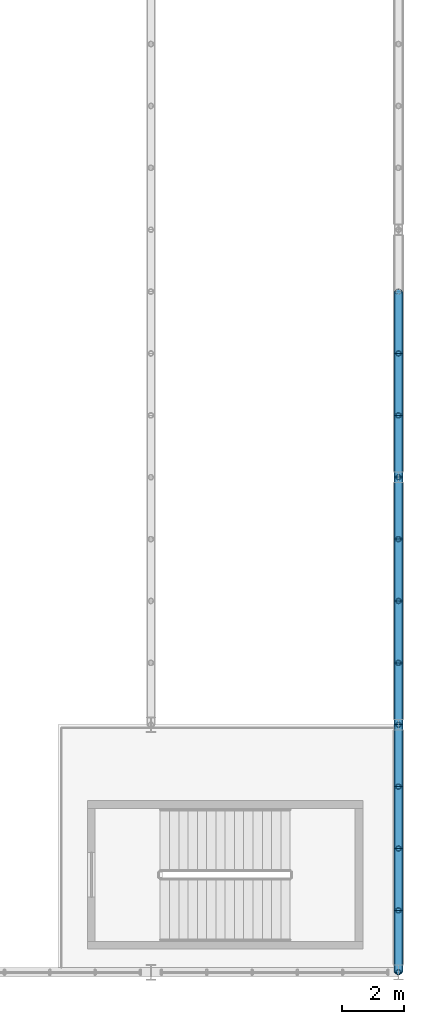
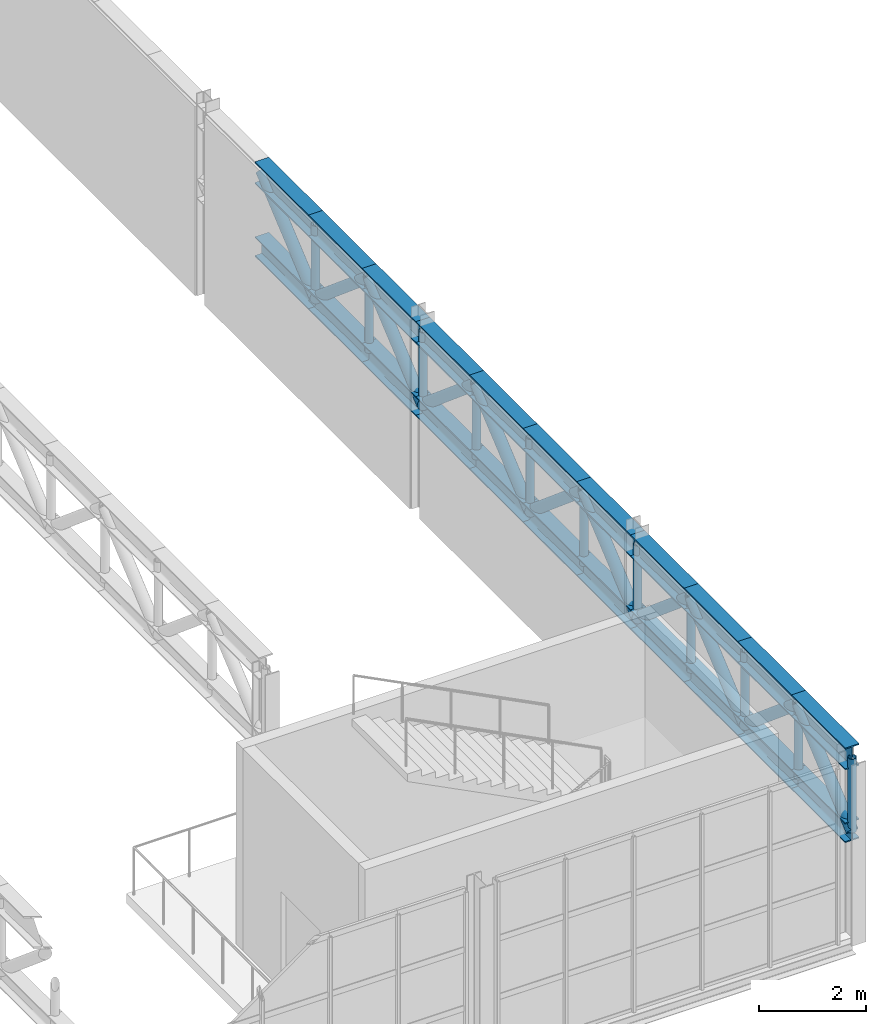
# One storey, part 41 of 67: 44 members.
"""IFC4 building model written with IfcOpenShell, lengths in metres."""

from ifc_helpers import new_model, si_unit, derived_unit, direction, frame, origin, origin_2d, place, context, subcontext, project, spatial, hollow_circle, i_section, extrude, material, material_profile, profile_set, type_object, element, save


model = new_model("IFC4")

# Units and contexts
model_context = context("Model", 3, precision=1e-05, world=origin(), true_north=direction((0.0, 1.0)))
body_context = subcontext(model_context, "Body", "Model", "MODEL_VIEW")
ifc_project = project(units=[si_unit("LENGTHUNIT", "METRE"), si_unit("AREAUNIT", "SQUARE_METRE"), si_unit("VOLUMEUNIT", "CUBIC_METRE"), si_unit("PLANEANGLEUNIT", "RADIAN"), si_unit("MASSUNIT", "GRAM", prefix="KILO"), derived_unit("THERMALTRANSMITTANCEUNIT", [(si_unit("POWERUNIT", "WATT"), 1), (si_unit("LENGTHUNIT", "METRE"), -2), (si_unit("THERMODYNAMICTEMPERATUREUNIT", "KELVIN"), -1)])], contexts=[model_context])

# Site, building, storey
site_placement = place(None, origin())
site = spatial("IfcSite", under=ifc_project, at=site_placement, CompositionType="ELEMENT")
building_placement = place(site_placement, origin())
building = spatial("IfcBuilding", under=site, at=building_placement, Name="Keldorne Ridge Multi-Sports Centre", CompositionType="ELEMENT")
storey_placement = place(building_placement, frame((0.0, 0.0, 14.0)))
storey = spatial("IfcBuildingStorey", under=building, at=storey_placement, Name="L03", CompositionType="ELEMENT", Elevation=14.0)

# Members
ifc_material = material(Name="Steel S355", Category="steel")
ifc_material_profile_1 = material_profile(ifc_material, i_section(OverallWidth=0.300048828125, OverallDepth=0.5, WebThickness=0.014404296875, FlangeThickness=0.028076171875, FilletRadius=0.027099609375, at=origin_2d()), Name="HEB 500")
ifc_profile_set_1 = profile_set([ifc_material_profile_1], Name="Steel S355")
member_type_1 = type_object("IfcMemberType", Name="MEM-TC-03", PredefinedType="CHORD", material=ifc_profile_set_1)
for number, where, z_axis, x_axis, name in (
    (1, (168.0, 6.0, 4.110107421875), (0.0, 1.0, 0.0), (-1.0, 0.0, 0.0), "Stacked Courts Warren TRUSS WT-L04-09 top chord 1"),
    (2, (168.0, 8.0, 4.110107421875), (0.0, 1.0, 0.0), (-1.0, 0.0, 0.0), "Stacked Courts Warren TRUSS WT-L04-09 top chord 2"),
    (3, (168.0, 10.0, 4.110107421875), (0.0, 1.0, 0.0), (-1.0, 0.0, 0.0), "Stacked Courts Warren TRUSS WT-L04-09 top chord 3"),
    (4, (168.0, 12.0, 4.110107421875), (0.0, 1.0, 0.0), (-1.0, 0.0, 0.0), "Stacked Courts Warren TRUSS WT-L04-09 top chord 4"),
    (5, (168.0, 14.0, 4.110107421875), (0.0, 1.0, 0.0), (-1.0, 0.0, 0.0), "Stacked Courts Warren TRUSS WT-L04-09 top chord 5"),
    (6, (168.0, 16.0, 4.110107421875), (0.0, 1.0, 0.0), (-1.0, 0.0, 0.0), "Stacked Courts Warren TRUSS WT-L04-09 top chord 6"),
    (7, (168.0, 18.0, 4.110107421875), (0.0, 1.0, 0.0), (-1.0, 0.0, 0.0), "Stacked Courts Warren TRUSS WT-L04-09 top chord 7"),
    (8, (168.0, 20.0, 4.110107421875), (0.0, 1.0, 0.0), (-1.0, 0.0, 0.0), "Stacked Courts Warren TRUSS WT-L04-09 top chord 8"),
    (9, (168.0, 22.0, 4.110107421875), (0.0, 1.0, 0.0), (-1.0, 0.0, 0.0), "Stacked Courts Warren TRUSS WT-L04-09 top chord 9"),
    (10, (168.0, 24.0, 4.110107421875), (0.0, 1.0, 0.0), (-1.0, 0.0, 0.0), "Stacked Courts Warren TRUSS WT-L04-09 top chord 10"),
    (11, (168.0, 26.0, 4.110107421875), (0.0, 1.0, 0.0), (-1.0, 0.0, 0.0), "Stacked Courts Warren TRUSS WT-L04-09 top chord 11"),
):
    element("IfcMember", number, at=place(storey_placement, frame(where, z_axis=z_axis, x_axis=x_axis)), inside=storey, type_object=member_type_1, Name=name, PredefinedType="CHORD", context=body_context, shape_type="SweptSolid", body=[
        extrude(i_section(OverallWidth=0.300048828125, OverallDepth=0.5, WebThickness=0.014404296875, FlangeThickness=0.028076171875, FilletRadius=0.027099609375, at=origin_2d()), origin(), (0.0, 0.0, 1.0), 2.0),
    ])
ifc_material_profile_2 = material_profile(ifc_material, i_section(OverallWidth=0.300048828125, OverallDepth=0.449951171875, WebThickness=0.013916015625, FlangeThickness=0.02587890625, FilletRadius=0.027099609375, at=origin_2d()), Name="HEB 450")
ifc_profile_set_2 = profile_set([ifc_material_profile_2], Name="Steel S355")
member_type_2 = type_object("IfcMemberType", Name="MEM-TC-04", PredefinedType="CHORD", material=ifc_profile_set_2)
for number, where, z_axis, x_axis, name in (
    (12, (168.0, 6.0, 2.429931640625), (0.0, 1.0, 0.0), (-1.0, 0.0, 0.0), "Stacked Courts Warren TRUSS WT-L04-09 bottom chord 1"),
    (13, (168.0, 8.0, 2.429931640625), (0.0, 1.0, 0.0), (-1.0, 0.0, 0.0), "Stacked Courts Warren TRUSS WT-L04-09 bottom chord 2"),
    (14, (168.0, 10.0, 2.429931640625), (0.0, 1.0, 0.0), (-1.0, 0.0, 0.0), "Stacked Courts Warren TRUSS WT-L04-09 bottom chord 3"),
    (15, (168.0, 12.0, 2.429931640625), (0.0, 1.0, 0.0), (-1.0, 0.0, 0.0), "Stacked Courts Warren TRUSS WT-L04-09 bottom chord 4"),
    (16, (168.0, 14.0, 2.429931640625), (0.0, 1.0, 0.0), (-1.0, 0.0, 0.0), "Stacked Courts Warren TRUSS WT-L04-09 bottom chord 5"),
    (17, (168.0, 16.0, 2.429931640625), (0.0, 1.0, 0.0), (-1.0, 0.0, 0.0), "Stacked Courts Warren TRUSS WT-L04-09 bottom chord 6"),
    (18, (168.0, 18.0, 2.429931640625), (0.0, 1.0, 0.0), (-1.0, 0.0, 0.0), "Stacked Courts Warren TRUSS WT-L04-09 bottom chord 7"),
    (19, (168.0, 20.0, 2.429931640625), (0.0, 1.0, 0.0), (-1.0, 0.0, 0.0), "Stacked Courts Warren TRUSS WT-L04-09 bottom chord 8"),
    (20, (168.0, 22.0, 2.429931640625), (0.0, 1.0, 0.0), (-1.0, 0.0, 0.0), "Stacked Courts Warren TRUSS WT-L04-09 bottom chord 9"),
    (21, (168.0, 24.0, 2.429931640625), (0.0, 1.0, 0.0), (-1.0, 0.0, 0.0), "Stacked Courts Warren TRUSS WT-L04-09 bottom chord 10"),
    (22, (168.0, 26.0, 2.429931640625), (0.0, 1.0, 0.0), (-1.0, 0.0, 0.0), "Stacked Courts Warren TRUSS WT-L04-09 bottom chord 11"),
):
    element("IfcMember", number, at=place(storey_placement, frame(where, z_axis=z_axis, x_axis=x_axis)), inside=storey, type_object=member_type_2, Name=name, PredefinedType="CHORD", context=body_context, shape_type="SweptSolid", body=[
        extrude(i_section(OverallWidth=0.300048828125, OverallDepth=0.449951171875, WebThickness=0.013916015625, FlangeThickness=0.02587890625, FilletRadius=0.027099609375, at=origin_2d()), origin(), (0.0, 0.0, 1.0), 2.0),
    ])
ifc_material_profile_3 = material_profile(ifc_material, hollow_circle(Radius=0.122314453125, WallThickness=0.012451171875, at=origin_2d()), Name="CHS 244.5x12.5")
ifc_profile_set_3 = profile_set([ifc_material_profile_3], Name="Steel S355")
member_type_3 = type_object("IfcMemberType", Name="MEM-TD-02", PredefinedType="BRACE", material=ifc_profile_set_3)
for number, where, z_axis, x_axis, name in (
    (23, (168.0, 6.0, 2.429931640625), (0.0, 0.765671721121, 0.643231541108), (-1.0, 0.0, 0.0), "Stacked Courts Warren TRUSS WT-L04-09 diagonal 1"),
    (24, (168.0, 8.0, 4.110107421875), (0.0, 0.765671721121, -0.643231541108), (-1.0, 0.0, 0.0), "Stacked Courts Warren TRUSS WT-L04-09 diagonal 2"),
    (25, (168.0, 10.0, 2.429931640625), (0.0, 0.765671721121, 0.643231541108), (-1.0, 0.0, 0.0), "Stacked Courts Warren TRUSS WT-L04-09 diagonal 3"),
    (26, (168.0, 12.0, 4.110107421875), (0.0, 0.765671721121, -0.643231541108), (-1.0, 0.0, 0.0), "Stacked Courts Warren TRUSS WT-L04-09 diagonal 4"),
    (27, (168.0, 14.0, 2.429931640625), (0.0, 0.765671721121, 0.643231541108), (-1.0, 0.0, 0.0), "Stacked Courts Warren TRUSS WT-L04-09 diagonal 5"),
    (28, (168.0, 16.0, 4.110107421875), (0.0, 0.765671721121, -0.643231541108), (-1.0, 0.0, 0.0), "Stacked Courts Warren TRUSS WT-L04-09 diagonal 6"),
    (29, (168.0, 18.0, 2.429931640625), (0.0, 0.765671721121, 0.643231541108), (-1.0, 0.0, 0.0), "Stacked Courts Warren TRUSS WT-L04-09 diagonal 7"),
    (30, (168.0, 20.0, 4.110107421875), (0.0, 0.765671721121, -0.643231541108), (-1.0, 0.0, 0.0), "Stacked Courts Warren TRUSS WT-L04-09 diagonal 8"),
    (31, (168.0, 22.0, 2.429931640625), (0.0, 0.765671721121, 0.643231541108), (-1.0, 0.0, 0.0), "Stacked Courts Warren TRUSS WT-L04-09 diagonal 9"),
    (32, (168.0, 24.0, 4.110107421875), (0.0, 0.765671721121, -0.643231541108), (-1.0, 0.0, 0.0), "Stacked Courts Warren TRUSS WT-L04-09 diagonal 10"),
    (33, (168.0, 26.0, 2.429931640625), (0.0, 0.765671721121, 0.643231541108), (-1.0, 0.0, 0.0), "Stacked Courts Warren TRUSS WT-L04-09 diagonal 11"),
):
    element("IfcMember", number, at=place(storey_placement, frame(where, z_axis=z_axis, x_axis=x_axis)), inside=storey, type_object=member_type_3, Name=name, PredefinedType="BRACE", context=body_context, shape_type="SweptSolid", body=[
        extrude(hollow_circle(Radius=0.122314453125, WallThickness=0.012451171875, at=origin_2d()), origin(), (0.0, 0.0, 1.0), 2.612060546875),
    ])
ifc_material_profile_4 = material_profile(ifc_material, hollow_circle(Radius=0.084228515625, WallThickness=0.010009765625, at=origin_2d()), Name="CHS 168.3x10")
ifc_profile_set_4 = profile_set([ifc_material_profile_4], Name="Steel S355")
member_type_4 = type_object("IfcMemberType", Name="MEM-TV-01", PredefinedType="STRUT", material=ifc_profile_set_4)
for number, where, z_axis, x_axis, name in (
    (34, (168.0, 6.0, 2.429931640625), (0.0, 0.0, 1.0), (1.0, 0.0, 0.0), "Stacked Courts Warren TRUSS WT-L04-09 post 1"),
    (35, (168.0, 8.0, 2.429931640625), (0.0, 0.0, 1.0), (1.0, 0.0, 0.0), "Stacked Courts Warren TRUSS WT-L04-09 post 2"),
    (36, (168.0, 10.0, 2.429931640625), (0.0, 0.0, 1.0), (1.0, 0.0, 0.0), "Stacked Courts Warren TRUSS WT-L04-09 post 3"),
    (37, (168.0, 12.0, 2.429931640625), (0.0, 0.0, 1.0), (1.0, 0.0, 0.0), "Stacked Courts Warren TRUSS WT-L04-09 post 4"),
    (38, (168.0, 14.0, 2.429931640625), (0.0, 0.0, 1.0), (1.0, 0.0, 0.0), "Stacked Courts Warren TRUSS WT-L04-09 post 5"),
    (39, (168.0, 16.0, 2.429931640625), (0.0, 0.0, 1.0), (1.0, 0.0, 0.0), "Stacked Courts Warren TRUSS WT-L04-09 post 6"),
    (40, (168.0, 18.0, 2.429931640625), (0.0, 0.0, 1.0), (1.0, 0.0, 0.0), "Stacked Courts Warren TRUSS WT-L04-09 post 7"),
    (41, (168.0, 20.0, 2.429931640625), (0.0, 0.0, 1.0), (1.0, 0.0, 0.0), "Stacked Courts Warren TRUSS WT-L04-09 post 8"),
    (42, (168.0, 22.0, 2.429931640625), (0.0, 0.0, 1.0), (1.0, 0.0, 0.0), "Stacked Courts Warren TRUSS WT-L04-09 post 9"),
    (43, (168.0, 24.0, 2.429931640625), (0.0, 0.0, 1.0), (1.0, 0.0, 0.0), "Stacked Courts Warren TRUSS WT-L04-09 post 10"),
    (44, (168.0, 26.0, 2.429931640625), (0.0, 0.0, 1.0), (1.0, 0.0, 0.0), "Stacked Courts Warren TRUSS WT-L04-09 post 11"),
):
    element("IfcMember", number, at=place(storey_placement, frame(where, z_axis=z_axis, x_axis=x_axis)), inside=storey, type_object=member_type_4, Name=name, PredefinedType="STRUT", context=body_context, shape_type="SweptSolid", body=[
        extrude(hollow_circle(Radius=0.084228515625, WallThickness=0.010009765625, at=origin_2d()), origin(), (0.0, 0.0, 1.0), 1.68017578125),
    ])

save(model, "model.ifc")
